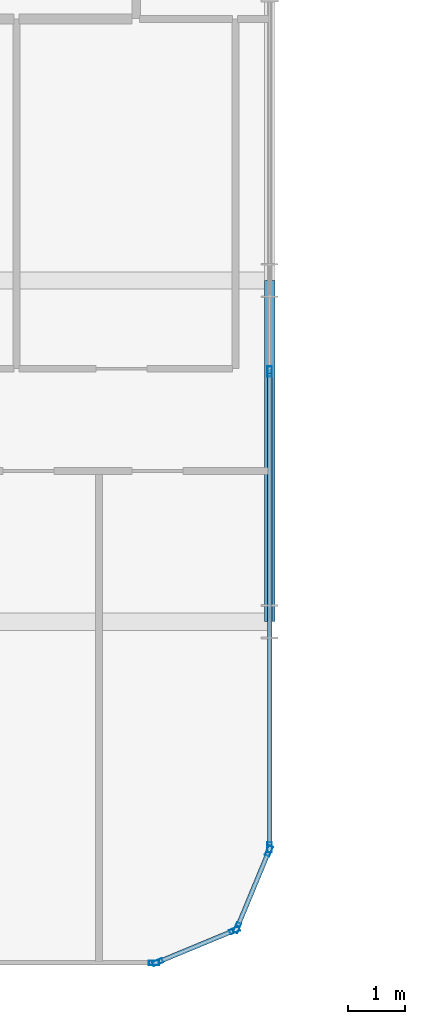
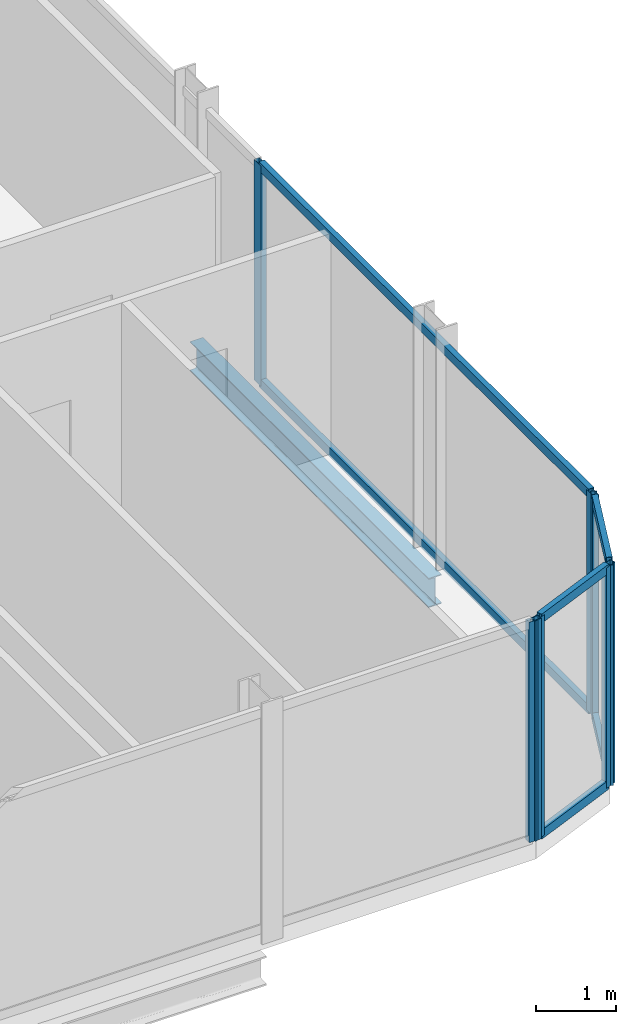
# One storey, part 10 of 30: 13 members, 1 beam, 4 elements without a shape of their own.
"""IFC4 building model written with IfcOpenShell, lengths in metres."""

from ifc_helpers import new_model, si_unit, direction, frame, origin, origin_2d, place, context, subcontext, project, spatial, hollow_rectangle, i_section, extrude, material, layer, layer_set, material_profile, profile_set, type_object, element, aggregate, save


model = new_model("IFC4")

# Units and contexts
model_context = context("Model", 3, precision=1e-05, world=origin(), true_north=direction((0.0, 1.0)))
body_context = subcontext(model_context, "Body", "Model", "MODEL_VIEW")
ifc_project = project(units=[si_unit("LENGTHUNIT", "METRE"), si_unit("AREAUNIT", "SQUARE_METRE"), si_unit("VOLUMEUNIT", "CUBIC_METRE"), si_unit("PLANEANGLEUNIT", "RADIAN"), si_unit("MASSUNIT", "GRAM", prefix="KILO")], contexts=[model_context])

# Site, building, storey
site_placement = place(None, origin())
site = spatial("IfcSite", under=ifc_project, at=site_placement, CompositionType="ELEMENT")
building_placement = place(site_placement, origin())
building = spatial("IfcBuilding", under=site, at=building_placement, Name="Keshet Zoharim Tower", CompositionType="ELEMENT")
storey_placement = place(building_placement, frame((0.0, 0.0, 113.10009765625)))
storey = spatial("IfcBuildingStorey", under=building, at=storey_placement, Name="L27", CompositionType="ELEMENT", Elevation=113.10009765625)

# Beam
ifc_material_1 = material(Name="Steel S355", Category="steel")
ifc_material_profile_1 = material_profile(ifc_material_1, i_section(OverallWidth=0.18994140625, OverallDepth=0.449951171875, WebThickness=0.009521484375, FlangeThickness=0.0146484375, FilletRadius=0.02099609375, at=origin_2d()), Name="IPE450")
ifc_profile_set_1 = profile_set([ifc_material_profile_1], Name="Steel S355")
beam_type = type_object("IfcBeamType", Name="BM-PRI-IP450", PredefinedType="BEAM", material=ifc_profile_set_1)
beam_placement = place(storey_placement, frame((57.0, 6.699951171875, -0.5400390625), z_axis=(0.0, 1.0, 0.0), x_axis=(-1.0, 0.0, 0.0)))
element("IfcBeam", 1, at=beam_placement, inside=storey, type_object=beam_type, Name="L27 Primary Girder Y-013", PredefinedType="BEAM", context=body_context, shape_type="SweptSolid", body=[
    extrude(i_section(OverallWidth=0.18994140625, OverallDepth=0.449951171875, WebThickness=0.009521484375, FlangeThickness=0.0146484375, FilletRadius=0.02099609375, at=origin_2d()), origin(), (0.0, 0.0, 1.0), 6.0),
])

# Curtain wall, members
ifc_material_2 = material(Name="Aluminium 6063-T6", Category="aluminium")
ifc_layer = layer(ifc_material_2, 0.159912109375)
ifc_layer_set = layer_set([ifc_layer], Name="Aluminium 6063-T6")
curtain_wall_type = type_object("IfcCurtainWallType", Name="CW-SYS-03", PredefinedType="NOTDEFINED", material=ifc_layer_set)
curtain_wall_1_placement = place(storey_placement, origin())
curtain_wall_1 = element("IfcCurtainWall", 2, at=curtain_wall_1_placement, inside=storey, type_object=curtain_wall_type, Name="L27 Unitised Curtain Wall 01", PredefinedType="NOTDEFINED")
ifc_material_profile_2 = material_profile(ifc_material_2, hollow_rectangle(XDim=0.080078125, YDim=0.179931640625, WallThickness=0.00439453125, at=origin_2d()), Name="MUL-80x180")
ifc_profile_set_2 = profile_set([ifc_material_profile_2], Name="Aluminium 6063-T6")
member_type_1 = type_object("IfcMemberType", Name="CWM-M18", PredefinedType="MULLION", material=ifc_profile_set_2)
member_1_placement = place(storey_placement, frame((56.986572265625, 2.667724609375, 0.0), z_axis=(0.0, 0.0, 1.0), x_axis=(0.92380975372, -0.382851849847, 0.0)))
member_1 = element("IfcMember", 3, at=member_1_placement, type_object=member_type_1, Name="CW-03 mullion 1", PredefinedType="MULLION", context=body_context, shape_type="SweptSolid", body=[
    extrude(hollow_rectangle(XDim=0.080078125, YDim=0.179931640625, WallThickness=0.00439453125, at=origin_2d()), origin(), (0.0, 0.0, 1.0), 3.385009765625),
])
member_2_placement = place(storey_placement, frame((56.427490234375, 1.318359375, 0.0), z_axis=(0.0, 0.0, 1.0), x_axis=(0.92380975372, -0.382851849847, 0.0)))
member_2 = element("IfcMember", 4, at=member_2_placement, type_object=member_type_1, Name="CW-03 mullion 2", PredefinedType="MULLION", context=body_context, shape_type="SweptSolid", body=[
    extrude(hollow_rectangle(XDim=0.080078125, YDim=0.179931640625, WallThickness=0.00439453125, at=origin_2d()), origin(), (0.0, 0.0, 1.0), 3.385009765625),
])

curtain_wall_2_placement = place(storey_placement, origin())
curtain_wall_2 = element("IfcCurtainWall", 5, at=curtain_wall_2_placement, inside=storey, type_object=curtain_wall_type, Name="L27 Unitised Curtain Wall 02", PredefinedType="NOTDEFINED")
member_3_placement = place(storey_placement, frame((56.381591796875, 1.272705078125, 0.0), z_axis=(0.0, 0.0, 1.0), x_axis=(0.382851849847, -0.92380975372, 0.0)))
member_3 = element("IfcMember", 6, at=member_3_placement, type_object=member_type_1, Name="CW-03 mullion 1", PredefinedType="MULLION", context=body_context, shape_type="SweptSolid", body=[
    extrude(hollow_rectangle(XDim=0.080078125, YDim=0.179931640625, WallThickness=0.00439453125, at=origin_2d()), origin(), (0.0, 0.0, 1.0), 3.385009765625),
])
member_4_placement = place(storey_placement, frame((55.0322265625, 0.71337890625, 0.0), z_axis=(0.0, 0.0, 1.0), x_axis=(0.382851849847, -0.92380975372, 0.0)))
member_4 = element("IfcMember", 7, at=member_4_placement, type_object=member_type_1, Name="CW-03 mullion 2", PredefinedType="MULLION", context=body_context, shape_type="SweptSolid", body=[
    extrude(hollow_rectangle(XDim=0.080078125, YDim=0.179931640625, WallThickness=0.00439453125, at=origin_2d()), origin(), (0.0, 0.0, 1.0), 3.385009765625),
])

# Curtain wall, member
curtain_wall_3_placement = place(storey_placement, origin())
curtain_wall_3 = element("IfcCurtainWall", 8, at=curtain_wall_3_placement, inside=storey, type_object=curtain_wall_type, Name="L27 Unitised Curtain Wall 03", PredefinedType="NOTDEFINED")
member_5_placement = place(storey_placement, frame((54.965087890625, 0.699951171875, 0.0), z_axis=(0.0, 0.0, 1.0), x_axis=(0.0, -1.0, 0.0)))
member_5 = element("IfcMember", 9, at=member_5_placement, type_object=member_type_1, Name="CW-03 mullion 1", PredefinedType="MULLION", context=body_context, shape_type="SweptSolid", body=[
    extrude(hollow_rectangle(XDim=0.080078125, YDim=0.179931640625, WallThickness=0.00439453125, at=origin_2d()), origin(), (0.0, 0.0, 1.0), 3.385009765625),
])
aggregate(curtain_wall_3, [member_5])

# Curtain wall, members
curtain_wall_4_placement = place(storey_placement, origin())
curtain_wall_4 = element("IfcCurtainWall", 10, at=curtain_wall_4_placement, inside=storey, type_object=curtain_wall_type, Name="L27 Unitised Curtain Wall 19", PredefinedType="NOTDEFINED")
member_6_placement = place(storey_placement, frame((57.0, 11.10009765625, 0.0), z_axis=(0.0, 0.0, 1.0), x_axis=(1.0, 0.0, 0.0)))
member_6 = element("IfcMember", 11, at=member_6_placement, type_object=member_type_1, Name="CW-03 mullion 3", PredefinedType="MULLION", context=body_context, shape_type="SweptSolid", body=[
    extrude(hollow_rectangle(XDim=0.080078125, YDim=0.179931640625, WallThickness=0.00439453125, at=origin_2d()), origin(), (0.0, 0.0, 1.0), 3.385009765625),
])
member_7_placement = place(storey_placement, frame((57.0, 2.735107421875, 0.0), z_axis=(0.0, 0.0, 1.0), x_axis=(1.0, 0.0, 0.0)))
member_7 = element("IfcMember", 12, at=member_7_placement, type_object=member_type_1, Name="CW-03 mullion 4", PredefinedType="MULLION", context=body_context, shape_type="SweptSolid", body=[
    extrude(hollow_rectangle(XDim=0.080078125, YDim=0.179931640625, WallThickness=0.00439453125, at=origin_2d()), origin(), (0.0, 0.0, 1.0), 3.385009765625),
])

# Member
ifc_material_profile_3 = material_profile(ifc_material_2, hollow_rectangle(XDim=0.080078125, YDim=0.139892578125, WallThickness=0.00390625, at=origin_2d()), Name="TRN-80x140")
ifc_profile_set_3 = profile_set([ifc_material_profile_3], Name="Aluminium 6063-T6")
member_type_2 = type_object("IfcMemberType", Name="CWT-T14", PredefinedType="USERDEFINED", material=ifc_profile_set_3)
member_8_placement = place(storey_placement, frame((56.97314453125, 2.63525390625, 0.034912109375), z_axis=(-0.382744609247, -0.923854189844, 0.0), x_axis=(0.923854189844, -0.382744609247, 0.0)))
member_8 = element("IfcMember", 13, at=member_8_placement, type_object=member_type_2, Name="CW-03 transom 1.1", ObjectType="TRANSOM", PredefinedType="USERDEFINED", context=body_context, shape_type="SweptSolid", body=[
    extrude(hollow_rectangle(XDim=0.080078125, YDim=0.139892578125, WallThickness=0.00390625, at=origin_2d()), origin(), (0.0, 0.0, 1.0), 1.390625),
])

member_9_placement = place(storey_placement, frame((56.97314453125, 2.63525390625, 3.349853515625), z_axis=(-0.382744609247, -0.923854189844, 0.0), x_axis=(0.923854189844, -0.382744609247, 0.0)))
member_9 = element("IfcMember", 14, at=member_9_placement, type_object=member_type_2, Name="CW-03 transom 1.2", ObjectType="TRANSOM", PredefinedType="USERDEFINED", context=body_context, shape_type="SweptSolid", body=[
    extrude(hollow_rectangle(XDim=0.080078125, YDim=0.139892578125, WallThickness=0.00390625, at=origin_2d()), origin(), (0.0, 0.0, 1.0), 1.390625),
])

aggregate(curtain_wall_1, [member_1, member_2, member_8, member_9])

member_10_placement = place(storey_placement, frame((56.349365234375, 1.25927734375, 0.034912109375), z_axis=(-0.92379209995, -0.382894445076, 0.0), x_axis=(0.382894445076, -0.92379209995, 0.0)))
member_10 = element("IfcMember", 15, at=member_10_placement, type_object=member_type_2, Name="CW-03 transom 1.1", ObjectType="TRANSOM", PredefinedType="USERDEFINED", context=body_context, shape_type="SweptSolid", body=[
    extrude(hollow_rectangle(XDim=0.080078125, YDim=0.139892578125, WallThickness=0.00390625, at=origin_2d()), origin(), (0.0, 0.0, 1.0), 1.390625),
])

member_11_placement = place(storey_placement, frame((56.349365234375, 1.25927734375, 3.349853515625), z_axis=(-0.92379209995, -0.382894445076, 0.0), x_axis=(0.382894445076, -0.92379209995, 0.0)))
member_11 = element("IfcMember", 16, at=member_11_placement, type_object=member_type_2, Name="CW-03 transom 1.2", ObjectType="TRANSOM", PredefinedType="USERDEFINED", context=body_context, shape_type="SweptSolid", body=[
    extrude(hollow_rectangle(XDim=0.080078125, YDim=0.139892578125, WallThickness=0.00390625, at=origin_2d()), origin(), (0.0, 0.0, 1.0), 1.390625),
])

aggregate(curtain_wall_2, [member_3, member_4, member_10, member_11])

member_12_placement = place(storey_placement, frame((57.0, 11.06494140625, 0.034912109375), z_axis=(0.0, -1.0, 0.0), x_axis=(1.0, 0.0, 0.0)))
member_12 = element("IfcMember", 17, at=member_12_placement, type_object=member_type_2, Name="CW-03 transom 3.1", ObjectType="TRANSOM", PredefinedType="USERDEFINED", context=body_context, shape_type="SweptSolid", body=[
    extrude(hollow_rectangle(XDim=0.080078125, YDim=0.139892578125, WallThickness=0.00390625, at=origin_2d()), origin(), (0.0, 0.0, 1.0), 8.294921875),
])

member_13_placement = place(storey_placement, frame((57.0, 11.06494140625, 3.349853515625), z_axis=(0.0, -1.0, 0.0), x_axis=(1.0, 0.0, 0.0)))
member_13 = element("IfcMember", 18, at=member_13_placement, type_object=member_type_2, Name="CW-03 transom 3.2", ObjectType="TRANSOM", PredefinedType="USERDEFINED", context=body_context, shape_type="SweptSolid", body=[
    extrude(hollow_rectangle(XDim=0.080078125, YDim=0.139892578125, WallThickness=0.00390625, at=origin_2d()), origin(), (0.0, 0.0, 1.0), 8.294921875),
])

aggregate(curtain_wall_4, [member_6, member_7, member_12, member_13])

save(model, "model.ifc")
